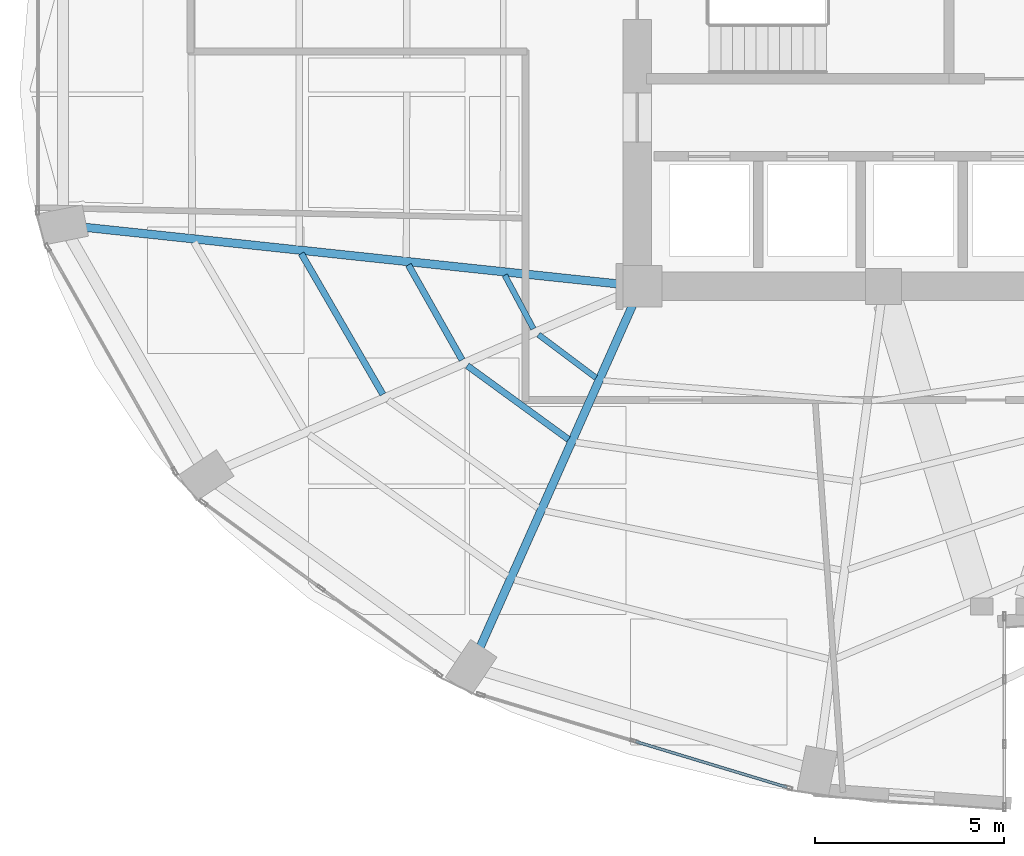
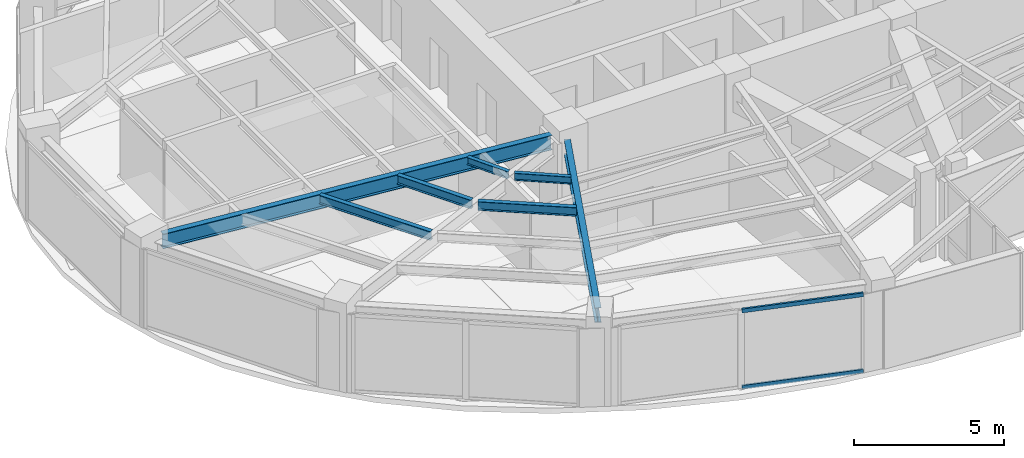
# One storey, part 4 of 24: 7 beams, 2 members, 1 element without a shape of its own.
"""IFC4 building model written with IfcOpenShell, lengths in metres."""

from ifc_helpers import new_model, si_unit, direction, frame, origin, origin_2d, place, context, subcontext, project, spatial, hollow_rectangle, i_section, extrude, material, layer, layer_set, material_profile, profile_set, type_object, element, aggregate, save


model = new_model("IFC4")

# Units and contexts
model_context = context("Model", 3, precision=1e-05, world=origin(), true_north=direction((0.0, 1.0)))
body_context = subcontext(model_context, "Body", "Model", "MODEL_VIEW")
ifc_project = project(units=[si_unit("LENGTHUNIT", "METRE"), si_unit("AREAUNIT", "SQUARE_METRE"), si_unit("VOLUMEUNIT", "CUBIC_METRE"), si_unit("PLANEANGLEUNIT", "RADIAN"), si_unit("MASSUNIT", "GRAM", prefix="KILO")], contexts=[model_context])

# Site, building, storey
site_placement = place(None, origin())
site = spatial("IfcSite", under=ifc_project, at=site_placement, CompositionType="ELEMENT")
building_placement = place(site_placement, origin())
building = spatial("IfcBuilding", under=site, at=building_placement, Name="Lazwardi Medical Tower", CompositionType="ELEMENT")
storey_placement = place(building_placement, frame((0.0, 0.0, 129.16796875)))
storey = spatial("IfcBuildingStorey", under=building, at=storey_placement, Name="L33", CompositionType="ELEMENT", Elevation=129.16796875)

# Beams
ifc_material_1 = material(Name="Steel S355", Category="steel")
ifc_material_profile_1 = material_profile(ifc_material_1, i_section(OverallWidth=0.219970703125, OverallDepth=0.60009765625, WebThickness=0.011962890625, FlangeThickness=0.01904296875, at=origin_2d()), Name="IPE 600")
ifc_profile_set_1 = profile_set([ifc_material_profile_1], Name="Steel S355")
beam_type_1 = type_object("IfcBeamType", Name="BM-RG-W1", PredefinedType="BEAM", material=ifc_profile_set_1)
beam_1_placement = place(storey_placement, frame((11.7138671875, 21.958984375, 2.89794921875), z_axis=(0.994413340753, -0.10555618282, 0.0), x_axis=(0.10555618282, 0.994413340753, 0.0)))
element("IfcBeam", 1, at=beam_1_placement, inside=storey, type_object=beam_type_1, Name="Radial girder RG-02 R13 L33", PredefinedType="BEAM", context=body_context, shape_type="SweptSolid", body=[
    extrude(i_section(OverallWidth=0.219970703125, OverallDepth=0.60009765625, WebThickness=0.011962890625, FlangeThickness=0.01904296875, at=origin_2d()), origin(), (0.0, 0.0, 1.0), 14.233642578125),
])
beam_2_placement = place(storey_placement, frame((22.152587890625, 10.872314453125, 2.89794921875), z_axis=(0.407165924957, 0.913354208155, 0.0), x_axis=(-0.913354208155, 0.407165924957, 0.0)))
element("IfcBeam", 2, at=beam_2_placement, inside=storey, type_object=beam_type_1, Name="Radial girder RG-02 R15 L33", PredefinedType="BEAM", context=body_context, shape_type="SweptSolid", body=[
    extrude(i_section(OverallWidth=0.219970703125, OverallDepth=0.60009765625, WebThickness=0.011962890625, FlangeThickness=0.01904296875, at=origin_2d()), origin(), (0.0, 0.0, 1.0), 9.896484375),
])
ifc_material_profile_2 = material_profile(ifc_material_1, i_section(OverallWidth=0.169921875, OverallDepth=0.360107421875, WebThickness=0.008056640625, FlangeThickness=0.0126953125, at=origin_2d()), Name="IPE 360")
ifc_profile_set_2 = profile_set([ifc_material_profile_2], Name="Steel S355")
beam_type_2 = type_object("IfcBeamType", Name="BM-SJ-02", PredefinedType="JOIST", material=ifc_profile_set_2)
beam_3_placement = place(storey_placement, frame((17.42822265625, 21.26708984375, 3.01806640625), z_axis=(0.501365325212, -0.865235696602, 0.0), x_axis=(0.865235696602, 0.501365325212, 0.0)))
element("IfcBeam", 3, at=beam_3_placement, inside=storey, type_object=beam_type_2, Name="Secondary joist SJ-02 R2 B13 L33", PredefinedType="JOIST", context=body_context, shape_type="SweptSolid", body=[
    extrude(i_section(OverallWidth=0.169921875, OverallDepth=0.360107421875, WebThickness=0.008056640625, FlangeThickness=0.0126953125, at=origin_2d()), origin(), (0.0, 0.0, 1.0), 4.298828125),
])
beam_4_placement = place(storey_placement, frame((20.258056640625, 20.966064453125, 3.01806640625), z_axis=(0.492026539517, -0.870580199873, 0.0), x_axis=(0.870580199873, 0.492026539517, 0.0)))
element("IfcBeam", 4, at=beam_4_placement, inside=storey, type_object=beam_type_2, Name="Secondary joist SJ-02 R3 B13 L33", PredefinedType="JOIST", context=body_context, shape_type="SweptSolid", body=[
    extrude(i_section(OverallWidth=0.169921875, OverallDepth=0.360107421875, WebThickness=0.008056640625, FlangeThickness=0.0126953125, at=origin_2d()), origin(), (0.0, 0.0, 1.0), 2.880859375),
])
beam_5_placement = place(storey_placement, frame((21.81201171875, 18.3046875, 3.01806640625), z_axis=(0.808301737247, -0.588768461761, 0.0), x_axis=(0.588768461761, 0.808301737247, 0.0)))
element("IfcBeam", 5, at=beam_5_placement, inside=storey, type_object=beam_type_2, Name="Secondary joist SJ-02 R3 B14 L33", PredefinedType="JOIST", context=body_context, shape_type="SweptSolid", body=[
    extrude(i_section(OverallWidth=0.169921875, OverallDepth=0.360107421875, WebThickness=0.008056640625, FlangeThickness=0.0126953125, at=origin_2d()), origin(), (0.0, 0.0, 1.0), 3.307373046875),
])
ifc_material_profile_3 = material_profile(ifc_material_1, i_section(OverallWidth=0.14990234375, OverallDepth=0.300048828125, WebThickness=0.007080078125, FlangeThickness=0.0107421875, at=origin_2d()), Name="IPE 300")
ifc_profile_set_3 = profile_set([ifc_material_profile_3], Name="Steel S355")
beam_type_3 = type_object("IfcBeamType", Name="BM-SJ-03", PredefinedType="JOIST", material=ifc_profile_set_3)
beam_6_placement = place(storey_placement, frame((22.8037109375, 20.6943359375, 3.048095703125), z_axis=(0.471022344925, -0.882121278839, 0.0), x_axis=(0.882121278839, 0.471022344925, 0.0)))
element("IfcBeam", 6, at=beam_6_placement, inside=storey, type_object=beam_type_3, Name="Secondary joist SJ-03 R4 B13 L33", PredefinedType="JOIST", context=body_context, shape_type="SweptSolid", body=[
    extrude(i_section(OverallWidth=0.14990234375, OverallDepth=0.300048828125, WebThickness=0.007080078125, FlangeThickness=0.0107421875, at=origin_2d()), origin(), (0.0, 0.0, 1.0), 1.605224609375),
])
beam_7_placement = place(storey_placement, frame((23.693359375, 19.12255859375, 3.048095703125), z_axis=(0.800447687995, -0.599402618265, 0.0), x_axis=(0.599402618265, 0.800447687995, 0.0)))
element("IfcBeam", 7, at=beam_7_placement, inside=storey, type_object=beam_type_3, Name="Secondary joist SJ-03 R4 B14 L33", PredefinedType="JOIST", context=body_context, shape_type="SweptSolid", body=[
    extrude(i_section(OverallWidth=0.14990234375, OverallDepth=0.300048828125, WebThickness=0.007080078125, FlangeThickness=0.0107421875, at=origin_2d()), origin(), (0.0, 0.0, 1.0), 1.896728515625),
])

# Curtain wall, members
ifc_material_2 = material(Name="Anodised bronze aluminium and solar control glazing", Category="aluminium")
ifc_layer = layer(ifc_material_2, 0.195068359375)
ifc_layer_set = layer_set([ifc_layer], Name="Anodised bronze aluminium and solar control glazing")
curtain_wall_type = type_object("IfcCurtainWallType", Name="CW-SYS-03", PredefinedType="NOTDEFINED", material=ifc_layer_set)
curtain_wall_placement = place(storey_placement, origin())
curtain_wall = element("IfcCurtainWall", 8, at=curtain_wall_placement, inside=storey, type_object=curtain_wall_type, Name="L33 Unitised bronze curtain wall CW-03", PredefinedType="NOTDEFINED")
ifc_material_3 = material(Name="Anodised bronze aluminium", Category="aluminium")
ifc_material_profile_4 = material_profile(ifc_material_3, hollow_rectangle(XDim=0.074951171875, YDim=0.159912109375, WallThickness=0.00390625, at=origin_2d()), Name="ALU-TRANSOM 160x75x4")
ifc_profile_set_4 = profile_set([ifc_material_profile_4], Name="Anodised bronze aluminium")
member_type = type_object("IfcMemberType", Name="CW-TRN-01", PredefinedType="USERDEFINED", material=ifc_profile_set_4)
member_1_placement = place(storey_placement, frame((26.2666015625, 8.3759765625, 0.03759765625), z_axis=(0.957220865985, -0.289358279168, 0.0), x_axis=(0.289358279168, 0.957220865985, 0.0)))
member_1 = element("IfcMember", 9, at=member_1_placement, type_object=member_type, Name="CW-03 transom 2.1", ObjectType="TRANSOM", PredefinedType="USERDEFINED", context=body_context, shape_type="SweptSolid", body=[
    extrude(hollow_rectangle(XDim=0.074951171875, YDim=0.159912109375, WallThickness=0.00390625, at=origin_2d()), origin(), (0.0, 0.0, 1.0), 4.16552734375),
])
member_2_placement = place(storey_placement, frame((26.2666015625, 8.3759765625, 3.16064453125), z_axis=(0.957220865985, -0.289358279168, 0.0), x_axis=(0.289358279168, 0.957220865985, 0.0)))
member_2 = element("IfcMember", 10, at=member_2_placement, type_object=member_type, Name="CW-03 transom 2.2", ObjectType="TRANSOM", PredefinedType="USERDEFINED", context=body_context, shape_type="SweptSolid", body=[
    extrude(hollow_rectangle(XDim=0.074951171875, YDim=0.159912109375, WallThickness=0.00390625, at=origin_2d()), origin(), (0.0, 0.0, 1.0), 4.16552734375),
])
aggregate(curtain_wall, [member_1, member_2])

save(model, "model.ifc")
